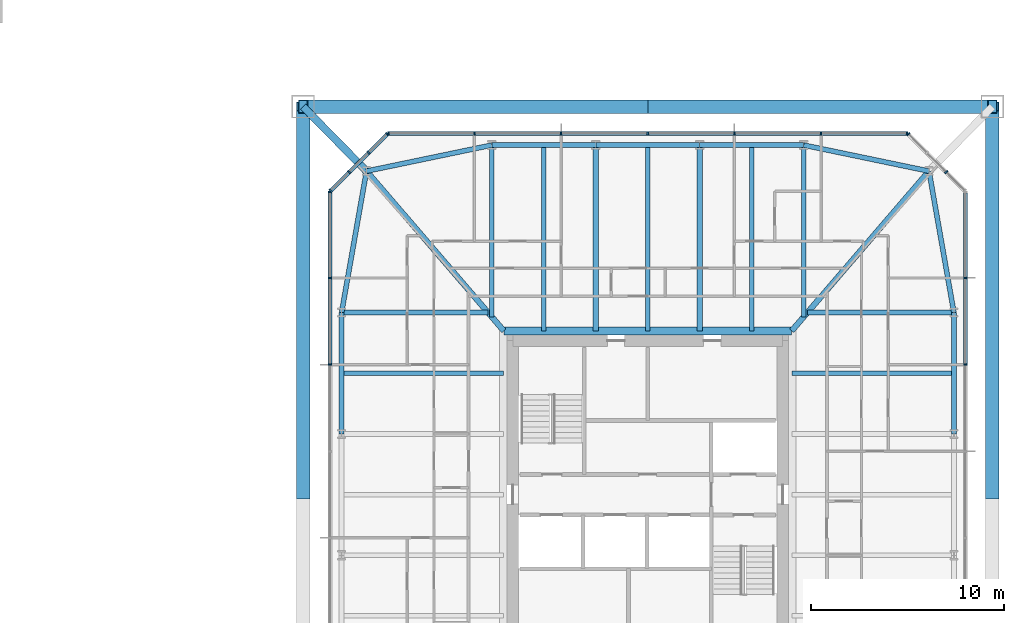
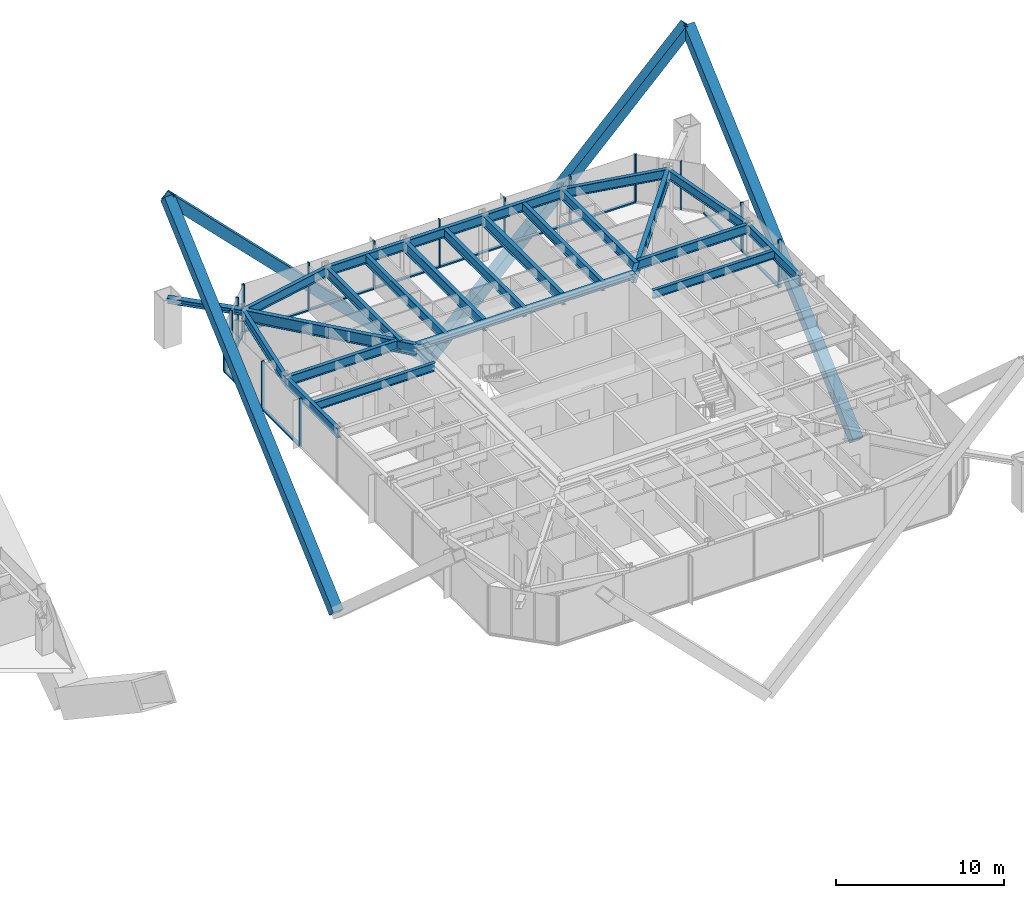
# One storey, part 11 of 27: 36 members, 23 beams, 5 elements without a shape of their own.
"""IFC4 building model written with IfcOpenShell, lengths in metres."""

from ifc_helpers import new_model, si_unit, direction, frame, origin, origin_2d, place, context, subcontext, project, spatial, rectangle, hollow_rectangle, i_section, extrude, material, material_profile, profile_set, type_object, element, aggregate, save


model = new_model("IFC4")

# Units and contexts
model_context = context("Model", 3, precision=1e-05, world=origin(), true_north=direction((0.0, 1.0)))
body_context = subcontext(model_context, "Body", "Model", "MODEL_VIEW")
ifc_project = project(units=[si_unit("LENGTHUNIT", "METRE"), si_unit("AREAUNIT", "SQUARE_METRE"), si_unit("VOLUMEUNIT", "CUBIC_METRE"), si_unit("PLANEANGLEUNIT", "RADIAN"), si_unit("MASSUNIT", "GRAM", prefix="KILO")], contexts=[model_context])

# Site, building, storey
site_placement = place(None, origin())
site = spatial("IfcSite", under=ifc_project, at=site_placement, CompositionType="ELEMENT")
building_placement = place(site_placement, origin())
building = spatial("IfcBuilding", under=site, at=building_placement, Name="Iwan Alto Co-Living Towers", CompositionType="ELEMENT")
storey_placement = place(building_placement, frame((0.0, 0.0, 25.5)))
storey = spatial("IfcBuildingStorey", under=building, at=storey_placement, Name="L06", CompositionType="ELEMENT", Elevation=25.5)

# Curtain wall, members
ifc_material_1 = material(Name="Bronze aluminium unitised frame", Category="aluminium")
curtain_wall_type_1 = type_object("IfcCurtainWallType", Name="CURTAIN WALL CW-C", PredefinedType="NOTDEFINED", material=ifc_material_1)
curtain_wall_1_placement = place(storey_placement, origin())
curtain_wall_1 = element("IfcCurtainWall", 1, at=curtain_wall_1_placement, inside=storey, type_object=curtain_wall_type_1, Name="T2 curtain wall E L06", PredefinedType="NOTDEFINED")
ifc_material_2 = material(Name="Aluminium 6063-T6 bronze anodised", Category="aluminium")
ifc_material_profile_1 = material_profile(ifc_material_2, rectangle(XDim=0.199951171875, YDim=0.080078125, at=origin_2d()), Name="AL 80X200")
ifc_profile_set_1 = profile_set([ifc_material_profile_1], Name="Aluminium 6063-T6 bronze anodised")
member_type_1 = type_object("IfcMemberType", Name="CW-C MULLION 80X200", PredefinedType="MULLION", material=ifc_profile_set_1)
member_1_placement = place(storey_placement, frame((79.5, 6.75, 0.0), z_axis=(0.0, 0.0, 1.0), x_axis=(-1.0, 0.0, 0.0)))
member_1 = element("IfcMember", 2, at=member_1_placement, type_object=member_type_1, Name="CW-C mullion 6", PredefinedType="MULLION", context=body_context, shape_type="SweptSolid", body=[
    extrude(rectangle(XDim=0.199951171875, YDim=0.080078125, at=origin_2d()), origin(), (0.0, 0.0, 1.0), 3.5),
])
member_2_placement = place(storey_placement, frame((79.5, 11.25, 0.0), z_axis=(0.0, 0.0, 1.0), x_axis=(-1.0, 0.0, 0.0)))
member_2 = element("IfcMember", 3, at=member_2_placement, type_object=member_type_1, Name="CW-C mullion 7", PredefinedType="MULLION", context=body_context, shape_type="SweptSolid", body=[
    extrude(rectangle(XDim=0.199951171875, YDim=0.080078125, at=origin_2d()), origin(), (0.0, 0.0, 1.0), 3.5),
])

curtain_wall_2_placement = place(storey_placement, origin())
curtain_wall_2 = element("IfcCurtainWall", 4, at=curtain_wall_2_placement, inside=storey, type_object=curtain_wall_type_1, Name="T2 curtain wall N L06", PredefinedType="NOTDEFINED")
member_3_placement = place(storey_placement, frame((76.4599609375, 18.75, 0.0), z_axis=(0.0, 0.0, 1.0), x_axis=(0.0, -1.0, 0.0)))
member_3 = element("IfcMember", 5, at=member_3_placement, type_object=member_type_1, Name="CW-C mullion 1", PredefinedType="MULLION", context=body_context, shape_type="SweptSolid", body=[
    extrude(rectangle(XDim=0.199951171875, YDim=0.080078125, at=origin_2d()), origin(), (0.0, 0.0, 1.0), 3.5),
])
member_4_placement = place(storey_placement, frame((72.0, 18.75, 0.0), z_axis=(0.0, 0.0, 1.0), x_axis=(0.0, -1.0, 0.0)))
member_4 = element("IfcMember", 6, at=member_4_placement, type_object=member_type_1, Name="CW-C mullion 2", PredefinedType="MULLION", context=body_context, shape_type="SweptSolid", body=[
    extrude(rectangle(XDim=0.199951171875, YDim=0.080078125, at=origin_2d()), origin(), (0.0, 0.0, 1.0), 3.5),
])
member_5_placement = place(storey_placement, frame((67.5, 18.75, 0.0), z_axis=(0.0, 0.0, 1.0), x_axis=(0.0, -1.0, 0.0)))
member_5 = element("IfcMember", 7, at=member_5_placement, type_object=member_type_1, Name="CW-C mullion 3", PredefinedType="MULLION", context=body_context, shape_type="SweptSolid", body=[
    extrude(rectangle(XDim=0.199951171875, YDim=0.080078125, at=origin_2d()), origin(), (0.0, 0.0, 1.0), 3.5),
])
member_6_placement = place(storey_placement, frame((63.0, 18.75, 0.0), z_axis=(0.0, 0.0, 1.0), x_axis=(0.0, -1.0, 0.0)))
member_6 = element("IfcMember", 8, at=member_6_placement, type_object=member_type_1, Name="CW-C mullion 4", PredefinedType="MULLION", context=body_context, shape_type="SweptSolid", body=[
    extrude(rectangle(XDim=0.199951171875, YDim=0.080078125, at=origin_2d()), origin(), (0.0, 0.0, 1.0), 3.5),
])
member_7_placement = place(storey_placement, frame((58.5, 18.75, 0.0), z_axis=(0.0, 0.0, 1.0), x_axis=(0.0, -1.0, 0.0)))
member_7 = element("IfcMember", 9, at=member_7_placement, type_object=member_type_1, Name="CW-C mullion 5", PredefinedType="MULLION", context=body_context, shape_type="SweptSolid", body=[
    extrude(rectangle(XDim=0.199951171875, YDim=0.080078125, at=origin_2d()), origin(), (0.0, 0.0, 1.0), 3.5),
])
member_8_placement = place(storey_placement, frame((54.0, 18.75, 0.0), z_axis=(0.0, 0.0, 1.0), x_axis=(0.0, -1.0, 0.0)))
member_8 = element("IfcMember", 10, at=member_8_placement, type_object=member_type_1, Name="CW-C mullion 6", PredefinedType="MULLION", context=body_context, shape_type="SweptSolid", body=[
    extrude(rectangle(XDim=0.199951171875, YDim=0.080078125, at=origin_2d()), origin(), (0.0, 0.0, 1.0), 3.5),
])
member_9_placement = place(storey_placement, frame((49.5400390625, 18.75, 0.0), z_axis=(0.0, 0.0, 1.0), x_axis=(0.0, -1.0, 0.0)))
member_9 = element("IfcMember", 11, at=member_9_placement, type_object=member_type_1, Name="CW-C mullion 7", PredefinedType="MULLION", context=body_context, shape_type="SweptSolid", body=[
    extrude(rectangle(XDim=0.199951171875, YDim=0.080078125, at=origin_2d()), origin(), (0.0, 0.0, 1.0), 3.5),
])

curtain_wall_3_placement = place(storey_placement, origin())
curtain_wall_3 = element("IfcCurtainWall", 12, at=curtain_wall_3_placement, inside=storey, type_object=curtain_wall_type_1, Name="T2 curtain wall W L06", PredefinedType="NOTDEFINED")
member_10_placement = place(storey_placement, frame((46.5, 15.7099609375, 0.0), z_axis=(0.0, 0.0, 1.0), x_axis=(1.0, 0.0, 0.0)))
member_10 = element("IfcMember", 13, at=member_10_placement, type_object=member_type_1, Name="CW-C mullion 1", PredefinedType="MULLION", context=body_context, shape_type="SweptSolid", body=[
    extrude(rectangle(XDim=0.199951171875, YDim=0.080078125, at=origin_2d()), origin(), (0.0, 0.0, 1.0), 3.5),
])
member_11_placement = place(storey_placement, frame((46.5, 11.25, 0.0), z_axis=(0.0, 0.0, 1.0), x_axis=(1.0, 0.0, 0.0)))
member_11 = element("IfcMember", 14, at=member_11_placement, type_object=member_type_1, Name="CW-C mullion 2", PredefinedType="MULLION", context=body_context, shape_type="SweptSolid", body=[
    extrude(rectangle(XDim=0.199951171875, YDim=0.080078125, at=origin_2d()), origin(), (0.0, 0.0, 1.0), 3.5),
])
member_12_placement = place(storey_placement, frame((46.5, 6.75, 0.0), z_axis=(0.0, 0.0, 1.0), x_axis=(1.0, 0.0, 0.0)))
member_12 = element("IfcMember", 15, at=member_12_placement, type_object=member_type_1, Name="CW-C mullion 3", PredefinedType="MULLION", context=body_context, shape_type="SweptSolid", body=[
    extrude(rectangle(XDim=0.199951171875, YDim=0.080078125, at=origin_2d()), origin(), (0.0, 0.0, 1.0), 3.5),
])

# Member
ifc_material_3 = material(Name="Aluminium 6063-T6 bronze anodised", Category="aluminium")
ifc_material_profile_2 = material_profile(ifc_material_3, rectangle(XDim=0.199951171875, YDim=0.10009765625, at=origin_2d()), Name="AL 200X100")
ifc_profile_set_2 = profile_set([ifc_material_profile_2], Name="Aluminium 6063-T6 bronze anodised")
member_type_2 = type_object("IfcMemberType", Name="CW-C TRANSOM 200X100", PredefinedType="USERDEFINED", material=ifc_profile_set_2)
member_13_placement = place(storey_placement, frame((79.5, 6.7900390625, 0.050048828125), z_axis=(0.0, 1.0, 0.0), x_axis=(-1.0, 0.0, 0.0)))
member_13 = element("IfcMember", 16, at=member_13_placement, type_object=member_type_2, Name="CW-C transom 6.1", ObjectType="TRANSOM", PredefinedType="USERDEFINED", context=body_context, shape_type="SweptSolid", body=[
    extrude(rectangle(XDim=0.199951171875, YDim=0.10009765625, at=origin_2d()), origin(), (0.0, 0.0, 1.0), 4.419921875),
])

member_14_placement = place(storey_placement, frame((79.5, 11.2900390625, 0.050048828125), z_axis=(0.0, 1.0, 0.0), x_axis=(-1.0, 0.0, 0.0)))
member_14 = element("IfcMember", 17, at=member_14_placement, type_object=member_type_2, Name="CW-C transom 7.1", ObjectType="TRANSOM", PredefinedType="USERDEFINED", context=body_context, shape_type="SweptSolid", body=[
    extrude(rectangle(XDim=0.199951171875, YDim=0.10009765625, at=origin_2d()), origin(), (0.0, 0.0, 1.0), 4.3798828125),
])

aggregate(curtain_wall_1, [member_1, member_2, member_13, member_14])

member_15_placement = place(storey_placement, frame((76.419921875, 18.75, 0.050048828125), z_axis=(-1.0, 0.0, 0.0), x_axis=(0.0, -1.0, 0.0)))
member_15 = element("IfcMember", 18, at=member_15_placement, type_object=member_type_2, Name="CW-C transom 1.1", ObjectType="TRANSOM", PredefinedType="USERDEFINED", context=body_context, shape_type="SweptSolid", body=[
    extrude(rectangle(XDim=0.199951171875, YDim=0.10009765625, at=origin_2d()), origin(), (0.0, 0.0, 1.0), 4.3798828125),
])

member_16_placement = place(storey_placement, frame((71.9599609375, 18.75, 0.050048828125), z_axis=(-1.0, 0.0, 0.0), x_axis=(0.0, -1.0, 0.0)))
member_16 = element("IfcMember", 19, at=member_16_placement, type_object=member_type_2, Name="CW-C transom 2.1", ObjectType="TRANSOM", PredefinedType="USERDEFINED", context=body_context, shape_type="SweptSolid", body=[
    extrude(rectangle(XDim=0.199951171875, YDim=0.10009765625, at=origin_2d()), origin(), (0.0, 0.0, 1.0), 4.419921875),
])

member_17_placement = place(storey_placement, frame((67.4599609375, 18.75, 0.050048828125), z_axis=(-1.0, 0.0, 0.0), x_axis=(0.0, -1.0, 0.0)))
member_17 = element("IfcMember", 20, at=member_17_placement, type_object=member_type_2, Name="CW-C transom 3.1", ObjectType="TRANSOM", PredefinedType="USERDEFINED", context=body_context, shape_type="SweptSolid", body=[
    extrude(rectangle(XDim=0.199951171875, YDim=0.10009765625, at=origin_2d()), origin(), (0.0, 0.0, 1.0), 4.419921875),
])

member_18_placement = place(storey_placement, frame((62.9599609375, 18.75, 0.050048828125), z_axis=(-1.0, 0.0, 0.0), x_axis=(0.0, -1.0, 0.0)))
member_18 = element("IfcMember", 21, at=member_18_placement, type_object=member_type_2, Name="CW-C transom 4.1", ObjectType="TRANSOM", PredefinedType="USERDEFINED", context=body_context, shape_type="SweptSolid", body=[
    extrude(rectangle(XDim=0.199951171875, YDim=0.10009765625, at=origin_2d()), origin(), (0.0, 0.0, 1.0), 4.419921875),
])

member_19_placement = place(storey_placement, frame((58.4599609375, 18.75, 0.050048828125), z_axis=(-1.0, 0.0, 0.0), x_axis=(0.0, -1.0, 0.0)))
member_19 = element("IfcMember", 22, at=member_19_placement, type_object=member_type_2, Name="CW-C transom 5.1", ObjectType="TRANSOM", PredefinedType="USERDEFINED", context=body_context, shape_type="SweptSolid", body=[
    extrude(rectangle(XDim=0.199951171875, YDim=0.10009765625, at=origin_2d()), origin(), (0.0, 0.0, 1.0), 4.419921875),
])

member_20_placement = place(storey_placement, frame((53.9599609375, 18.75, 0.050048828125), z_axis=(-1.0, 0.0, 0.0), x_axis=(0.0, -1.0, 0.0)))
member_20 = element("IfcMember", 23, at=member_20_placement, type_object=member_type_2, Name="CW-C transom 6.1", ObjectType="TRANSOM", PredefinedType="USERDEFINED", context=body_context, shape_type="SweptSolid", body=[
    extrude(rectangle(XDim=0.199951171875, YDim=0.10009765625, at=origin_2d()), origin(), (0.0, 0.0, 1.0), 4.3798828125),
])

aggregate(curtain_wall_2, [member_3, member_4, member_5, member_6, member_7, member_8, member_9, member_15, member_16, member_17, member_18, member_19, member_20])

member_21_placement = place(storey_placement, frame((46.5, 15.669921875, 0.050048828125), z_axis=(0.0, -1.0, 0.0), x_axis=(1.0, 0.0, 0.0)))
member_21 = element("IfcMember", 24, at=member_21_placement, type_object=member_type_2, Name="CW-C transom 1.1", ObjectType="TRANSOM", PredefinedType="USERDEFINED", context=body_context, shape_type="SweptSolid", body=[
    extrude(rectangle(XDim=0.199951171875, YDim=0.10009765625, at=origin_2d()), origin(), (0.0, 0.0, 1.0), 4.3798828125),
])

member_22_placement = place(storey_placement, frame((46.5, 11.2099609375, 0.050048828125), z_axis=(0.0, -1.0, 0.0), x_axis=(1.0, 0.0, 0.0)))
member_22 = element("IfcMember", 25, at=member_22_placement, type_object=member_type_2, Name="CW-C transom 2.1", ObjectType="TRANSOM", PredefinedType="USERDEFINED", context=body_context, shape_type="SweptSolid", body=[
    extrude(rectangle(XDim=0.199951171875, YDim=0.10009765625, at=origin_2d()), origin(), (0.0, 0.0, 1.0), 4.419921875),
])

aggregate(curtain_wall_3, [member_10, member_11, member_12, member_21, member_22])

# Curtain wall, members
ifc_material_4 = material(Name="Bronze aluminium unitised frame", Category="aluminium")
curtain_wall_type_2 = type_object("IfcCurtainWallType", Name="CURTAIN WALL CW-D", PredefinedType="NOTDEFINED", material=ifc_material_4)
curtain_wall_4_placement = place(storey_placement, origin())
curtain_wall_4 = element("IfcCurtainWall", 26, at=curtain_wall_4_placement, inside=storey, type_object=curtain_wall_type_2, Name="T2 chamfer curtain wall NE L06", PredefinedType="NOTDEFINED")
ifc_material_5 = material(Name="Aluminium 6063-T6 bronze anodised", Category="aluminium")
ifc_material_profile_3 = material_profile(ifc_material_5, rectangle(XDim=0.199951171875, YDim=0.080078125, at=origin_2d()), Name="AL 80X200")
ifc_profile_set_3 = profile_set([ifc_material_profile_3], Name="Aluminium 6063-T6 bronze anodised")
member_type_3 = type_object("IfcMemberType", Name="CW-D MULLION 80X200", PredefinedType="MULLION", material=ifc_profile_set_3)
member_23_placement = place(storey_placement, frame((78.5, 16.75, 0.0), z_axis=(0.0, 0.0, 1.0), x_axis=(-0.707106781187, -0.707106781187, 0.0)))
member_23 = element("IfcMember", 27, at=member_23_placement, type_object=member_type_3, Name="CW-D mullion 2", PredefinedType="MULLION", context=body_context, shape_type="SweptSolid", body=[
    extrude(rectangle(XDim=0.199951171875, YDim=0.080078125, at=origin_2d()), origin(), (0.0, 0.0, 1.0), 3.5),
])
member_24_placement = place(storey_placement, frame((76.5283203125, 18.7216796875, 0.0), z_axis=(0.0, 0.0, 1.0), x_axis=(-0.707106781187, -0.707106781187, 0.0)))
member_24 = element("IfcMember", 28, at=member_24_placement, type_object=member_type_3, Name="CW-D mullion 4", PredefinedType="MULLION", context=body_context, shape_type="SweptSolid", body=[
    extrude(rectangle(XDim=0.199951171875, YDim=0.080078125, at=origin_2d()), origin(), (0.0, 0.0, 1.0), 3.5),
])
aggregate(curtain_wall_4, [member_23, member_24])

curtain_wall_5_placement = place(storey_placement, origin())
curtain_wall_5 = element("IfcCurtainWall", 29, at=curtain_wall_5_placement, inside=storey, type_object=curtain_wall_type_2, Name="T2 chamfer curtain wall NW L06", PredefinedType="NOTDEFINED")
member_25_placement = place(storey_placement, frame((49.4716796875, 18.7216796875, 0.0), z_axis=(0.0, 0.0, 1.0), x_axis=(0.707106781187, -0.707106781187, 0.0)))
member_25 = element("IfcMember", 30, at=member_25_placement, type_object=member_type_3, Name="CW-D mullion 1", PredefinedType="MULLION", context=body_context, shape_type="SweptSolid", body=[
    extrude(rectangle(XDim=0.199951171875, YDim=0.080078125, at=origin_2d()), origin(), (0.0, 0.0, 1.0), 3.5),
])
member_26_placement = place(storey_placement, frame((48.5, 17.75, 0.0), z_axis=(0.0, 0.0, 1.0), x_axis=(0.707106781187, -0.707106781187, 0.0)))
member_26 = element("IfcMember", 31, at=member_26_placement, type_object=member_type_3, Name="CW-D mullion 2", PredefinedType="MULLION", context=body_context, shape_type="SweptSolid", body=[
    extrude(rectangle(XDim=0.199951171875, YDim=0.080078125, at=origin_2d()), origin(), (0.0, 0.0, 1.0), 3.5),
])
member_27_placement = place(storey_placement, frame((47.5, 16.75, 0.0), z_axis=(0.0, 0.0, 1.0), x_axis=(0.707106781187, -0.707106781187, 0.0)))
member_27 = element("IfcMember", 32, at=member_27_placement, type_object=member_type_3, Name="CW-D mullion 3", PredefinedType="MULLION", context=body_context, shape_type="SweptSolid", body=[
    extrude(rectangle(XDim=0.199951171875, YDim=0.080078125, at=origin_2d()), origin(), (0.0, 0.0, 1.0), 3.5),
])
member_28_placement = place(storey_placement, frame((46.5283203125, 15.7783203125, 0.0), z_axis=(0.0, 0.0, 1.0), x_axis=(0.707106781187, -0.707106781187, 0.0)))
member_28 = element("IfcMember", 33, at=member_28_placement, type_object=member_type_3, Name="CW-D mullion 4", PredefinedType="MULLION", context=body_context, shape_type="SweptSolid", body=[
    extrude(rectangle(XDim=0.199951171875, YDim=0.080078125, at=origin_2d()), origin(), (0.0, 0.0, 1.0), 3.5),
])
ifc_material_6 = material(Name="Aluminium 6063-T6 bronze anodised", Category="aluminium")
ifc_material_profile_4 = material_profile(ifc_material_6, rectangle(XDim=0.199951171875, YDim=0.10009765625, at=origin_2d()), Name="AL 200X100")
ifc_profile_set_4 = profile_set([ifc_material_profile_4], Name="Aluminium 6063-T6 bronze anodised")
member_type_4 = type_object("IfcMemberType", Name="CW-D TRANSOM 200X100", PredefinedType="USERDEFINED", material=ifc_profile_set_4)
member_29_placement = place(storey_placement, frame((49.443359375, 18.693359375, 0.050048828125), z_axis=(-0.707106781187, -0.707106781187, 0.0), x_axis=(0.707106781187, -0.707106781187, 0.0)))
member_29 = element("IfcMember", 34, at=member_29_placement, type_object=member_type_4, Name="CW-D transom 1.1", ObjectType="TRANSOM", PredefinedType="USERDEFINED", context=body_context, shape_type="SweptSolid", body=[
    extrude(rectangle(XDim=0.199951171875, YDim=0.10009765625, at=origin_2d()), origin(), (0.0, 0.0, 1.0), 1.2939453125),
])
member_30_placement = place(storey_placement, frame((48.4716796875, 17.7216796875, 0.050048828125), z_axis=(-0.707106781187, -0.707106781187, 0.0), x_axis=(0.707106781187, -0.707106781187, 0.0)))
member_30 = element("IfcMember", 35, at=member_30_placement, type_object=member_type_4, Name="CW-D transom 2.1", ObjectType="TRANSOM", PredefinedType="USERDEFINED", context=body_context, shape_type="SweptSolid", body=[
    extrude(rectangle(XDim=0.199951171875, YDim=0.10009765625, at=origin_2d()), origin(), (0.0, 0.0, 1.0), 1.334228515625),
])
member_31_placement = place(storey_placement, frame((47.4716796875, 16.7216796875, 0.050048828125), z_axis=(-0.707106781187, -0.707106781187, 0.0), x_axis=(0.707106781187, -0.707106781187, 0.0)))
member_31 = element("IfcMember", 36, at=member_31_placement, type_object=member_type_4, Name="CW-D transom 3.1", ObjectType="TRANSOM", PredefinedType="USERDEFINED", context=body_context, shape_type="SweptSolid", body=[
    extrude(rectangle(XDim=0.199951171875, YDim=0.10009765625, at=origin_2d()), origin(), (0.0, 0.0, 1.0), 1.2939453125),
])
aggregate(curtain_wall_5, [member_25, member_26, member_27, member_28, member_29, member_30, member_31])

# Beams
ifc_material_7 = material(Name="Steel ASTM A992 Gr 50", Category="steel")
ifc_material_profile_5 = material_profile(ifc_material_7, i_section(OverallWidth=0.40380859375, OverallDepth=0.406494140625, WebThickness=0.027099609375, FlangeThickness=0.043701171875, at=origin_2d()), Name="W14X233")
ifc_profile_set_5 = profile_set([ifc_material_profile_5], Name="Steel ASTM A992 Gr 50")
beam_type_1 = type_object("IfcBeamType", Name="T2 CORE LEDGER BEAM W14X233", PredefinedType="BEAM", material=ifc_profile_set_5)
beam_1_placement = place(storey_placement, frame((70.4736328125, 8.501953125, 3.06689453125), z_axis=(-1.0, 0.0, 0.0), x_axis=(0.0, -1.0, 0.0)))
element("IfcBeam", 37, at=beam_1_placement, inside=storey, type_object=beam_type_1, Name="T2 core ledger beam N L07", PredefinedType="BEAM", context=body_context, shape_type="SweptSolid", body=[
    extrude(i_section(OverallWidth=0.40380859375, OverallDepth=0.406494140625, WebThickness=0.027099609375, FlangeThickness=0.043701171875, at=origin_2d()), origin(), (0.0, 0.0, 1.0), 14.947265625),
])
ifc_material_8 = material(Name="Steel ASTM A992 Gr 50", Category="steel")
ifc_material_profile_6 = material_profile(ifc_material_8, i_section(OverallWidth=0.2919921875, OverallDepth=0.8408203125, WebThickness=0.0146484375, FlangeThickness=0.021728515625, at=origin_2d()), Name="W33X130")
ifc_profile_set_6 = profile_set([ifc_material_profile_6], Name="Steel ASTM A992 Gr 50")
beam_type_2 = type_object("IfcBeamType", Name="T2 CORNER GIRDER W33X130", PredefinedType="BEAM", material=ifc_profile_set_6)
for number, where, z_axis, x_axis, name in (
    (38, (77.606201171875, 16.797119140625, 2.849609375), (-0.651972301827, -0.758242782788, 0.0), (0.758242782788, -0.651972301827, 0.0), "T2 corner girder CNE L07"),
    (39, (48.393798828125, 16.797119140625, 2.849609375), (0.651972301827, -0.758242782788, 0.0), (0.758242782788, 0.651972301827, 0.0), "T2 corner girder CNW L07"),
):
    element("IfcBeam", number, at=place(storey_placement, frame(where, z_axis=z_axis, x_axis=x_axis)), inside=storey, type_object=beam_type_2, Name=name, PredefinedType="BEAM", context=body_context, shape_type="SweptSolid", body=[
        extrude(i_section(OverallWidth=0.2919921875, OverallDepth=0.8408203125, WebThickness=0.0146484375, FlangeThickness=0.021728515625, at=origin_2d()), origin(), (0.0, 0.0, 1.0), 10.93994140625),
    ])
ifc_material_9 = material(Name="Steel ASTM A992 Gr 50", Category="steel")
ifc_material_profile_7 = material_profile(ifc_material_9, i_section(OverallWidth=0.25390625, OverallDepth=0.683349609375, WebThickness=0.012451171875, FlangeThickness=0.018798828125, at=origin_2d()), Name="W27X94")
ifc_profile_set_7 = profile_set([ifc_material_profile_7], Name="Steel ASTM A992 Gr 50")
beam_type_3 = type_object("IfcBeamType", Name="T2 EDGE BEAM W27X94", PredefinedType="BEAM", material=ifc_profile_set_7)
beam_2_placement = place(storey_placement, frame((78.89990234375, 3.14990234375, 2.928466796875), z_axis=(0.0, 1.0, 0.0), x_axis=(-1.0, 0.0, 0.0)))
element("IfcBeam", 40, at=beam_2_placement, inside=storey, type_object=beam_type_3, Name="T2 edge beam E3 L07", PredefinedType="BEAM", context=body_context, shape_type="SweptSolid", body=[
    extrude(i_section(OverallWidth=0.25390625, OverallDepth=0.683349609375, WebThickness=0.012451171875, FlangeThickness=0.018798828125, at=origin_2d()), origin(), (0.0, 0.0, 1.0), 6.300048828125),
])
beam_3_placement = place(storey_placement, frame((78.89990234375, 9.449951171875, 2.928466796875), z_axis=(-0.173413807283, 0.98484905008, 0.0), x_axis=(-0.98484905008, -0.173413807283, 0.0)))
element("IfcBeam", 41, at=beam_3_placement, inside=storey, type_object=beam_type_3, Name="T2 edge beam E4 L07", PredefinedType="BEAM", context=body_context, shape_type="SweptSolid", body=[
    extrude(i_section(OverallWidth=0.25390625, OverallDepth=0.683349609375, WebThickness=0.012451171875, FlangeThickness=0.018798828125, at=origin_2d()), origin(), (0.0, 0.0, 1.0), 7.460205078125),
])
beam_4_placement = place(storey_placement, frame((77.606201171875, 16.797119140625, 2.928466796875), z_axis=(-0.979060119423, 0.203571320564, 0.0), x_axis=(-0.203571320564, -0.979060119423, 0.0)))
element("IfcBeam", 42, at=beam_4_placement, inside=storey, type_object=beam_type_3, Name="T2 edge beam CNE L07", PredefinedType="BEAM", context=body_context, shape_type="SweptSolid", body=[
    extrude(i_section(OverallWidth=0.25390625, OverallDepth=0.683349609375, WebThickness=0.012451171875, FlangeThickness=0.018798828125, at=origin_2d()), origin(), (0.0, 0.0, 1.0), 6.645263671875),
])
beam_5_placement = place(storey_placement, frame((71.10009765625, 18.14990234375, 2.928466796875), z_axis=(-1.0, 0.0, 0.0), x_axis=(0.0, -1.0, 0.0)))
element("IfcBeam", 43, at=beam_5_placement, inside=storey, type_object=beam_type_3, Name="T2 edge beam N1 L07", PredefinedType="BEAM", context=body_context, shape_type="SweptSolid", body=[
    extrude(i_section(OverallWidth=0.25390625, OverallDepth=0.683349609375, WebThickness=0.012451171875, FlangeThickness=0.018798828125, at=origin_2d()), origin(), (0.0, 0.0, 1.0), 5.400146484375),
])
beam_6_placement = place(storey_placement, frame((65.699951171875, 18.14990234375, 2.928466796875), z_axis=(-1.0, 0.0, 0.0), x_axis=(0.0, -1.0, 0.0)))
element("IfcBeam", 44, at=beam_6_placement, inside=storey, type_object=beam_type_3, Name="T2 edge beam N2 L07", PredefinedType="BEAM", context=body_context, shape_type="SweptSolid", body=[
    extrude(i_section(OverallWidth=0.25390625, OverallDepth=0.683349609375, WebThickness=0.012451171875, FlangeThickness=0.018798828125, at=origin_2d()), origin(), (0.0, 0.0, 1.0), 5.39990234375),
])
beam_7_placement = place(storey_placement, frame((60.300048828125, 18.14990234375, 2.928466796875), z_axis=(-1.0, 0.0, 0.0), x_axis=(0.0, -1.0, 0.0)))
element("IfcBeam", 45, at=beam_7_placement, inside=storey, type_object=beam_type_3, Name="T2 edge beam N3 L07", PredefinedType="BEAM", context=body_context, shape_type="SweptSolid", body=[
    extrude(i_section(OverallWidth=0.25390625, OverallDepth=0.683349609375, WebThickness=0.012451171875, FlangeThickness=0.018798828125, at=origin_2d()), origin(), (0.0, 0.0, 1.0), 5.400146484375),
])
beam_8_placement = place(storey_placement, frame((54.89990234375, 18.14990234375, 2.928466796875), z_axis=(-0.979060119423, -0.203571320564, 0.0), x_axis=(0.203571320564, -0.979060119423, 0.0)))
element("IfcBeam", 46, at=beam_8_placement, inside=storey, type_object=beam_type_3, Name="T2 edge beam N4 L07", PredefinedType="BEAM", context=body_context, shape_type="SweptSolid", body=[
    extrude(i_section(OverallWidth=0.25390625, OverallDepth=0.683349609375, WebThickness=0.012451171875, FlangeThickness=0.018798828125, at=origin_2d()), origin(), (0.0, 0.0, 1.0), 6.645263671875),
])
beam_9_placement = place(storey_placement, frame((48.393798828125, 16.797119140625, 2.928466796875), z_axis=(-0.173413807283, -0.98484905008, 0.0), x_axis=(0.98484905008, -0.173413807283, 0.0)))
element("IfcBeam", 47, at=beam_9_placement, inside=storey, type_object=beam_type_3, Name="T2 edge beam CNW L07", PredefinedType="BEAM", context=body_context, shape_type="SweptSolid", body=[
    extrude(i_section(OverallWidth=0.25390625, OverallDepth=0.683349609375, WebThickness=0.012451171875, FlangeThickness=0.018798828125, at=origin_2d()), origin(), (0.0, 0.0, 1.0), 7.460205078125),
])
beam_10_placement = place(storey_placement, frame((47.10009765625, 9.449951171875, 2.928466796875), z_axis=(0.0, -1.0, 0.0), x_axis=(1.0, 0.0, 0.0)))
element("IfcBeam", 48, at=beam_10_placement, inside=storey, type_object=beam_type_3, Name="T2 edge beam W1 L07", PredefinedType="BEAM", context=body_context, shape_type="SweptSolid", body=[
    extrude(i_section(OverallWidth=0.25390625, OverallDepth=0.683349609375, WebThickness=0.012451171875, FlangeThickness=0.018798828125, at=origin_2d()), origin(), (0.0, 0.0, 1.0), 6.300048828125),
])

# Members
ifc_material_10 = material(Name="Steel ASTM A572 Gr 50", Category="steel")
ifc_material_profile_8 = material_profile(ifc_material_10, hollow_rectangle(XDim=0.699951171875, YDim=0.699951171875, WallThickness=0.044921875, at=origin_2d()), Name="BOX 700X700X45")
ifc_profile_set_8 = profile_set([ifc_material_profile_8], Name="Steel ASTM A572 Gr 50")
member_type_5 = type_object("IfcMemberType", Name="T2 MEGA BRACE BOX 700X700X45", PredefinedType="BRACE", material=ifc_profile_set_8)
member_32_placement = place(storey_placement, frame((80.89990234375, 0.0, -7.5), z_axis=(0.0, 0.745771862138, 0.666201418224), x_axis=(-1.0, 0.0, 0.0)))
element("IfcMember", 49, at=member_32_placement, inside=storey, type_object=member_type_5, Name="T2 mega brace Z1A E 1 upper", PredefinedType="BRACE", context=body_context, shape_type="SweptSolid", body=[
    extrude(hollow_rectangle(XDim=0.699951171875, YDim=0.699951171875, WallThickness=0.044921875, at=origin_2d()), origin(), (0.0, 0.0, 1.0), 27.018798828125),
])
for number, where, z_axis, x_axis, name in (
    (50, (63.0, 20.14990234375, -7.5), (-0.705132454608, 0.0, 0.709075610537), (0.0, -1.0, 0.0), "T2 mega brace Z1A N 1 upper"),
    (51, (63.0, 20.14990234375, -7.5), (0.705132454608, 0.0, 0.709075610537), (0.0, 1.0, 0.0), "T2 mega brace Z1A N 2 upper"),
):
    element("IfcMember", number, at=place(storey_placement, frame(where, z_axis=z_axis, x_axis=x_axis)), inside=storey, type_object=member_type_5, Name=name, PredefinedType="BRACE", context=body_context, shape_type="SweptSolid", body=[
        extrude(hollow_rectangle(XDim=0.699951171875, YDim=0.699951171875, WallThickness=0.044921875, at=origin_2d()), origin(), (0.0, 0.0, 1.0), 25.38525390625),
    ])
member_33_placement = place(storey_placement, frame((45.10009765625, 0.0, -7.5), z_axis=(0.0, 0.745771862138, 0.666201418224), x_axis=(-1.0, 0.0, 0.0)))
element("IfcMember", 52, at=member_33_placement, inside=storey, type_object=member_type_5, Name="T2 mega brace Z1A W 2 upper", PredefinedType="BRACE", context=body_context, shape_type="SweptSolid", body=[
    extrude(hollow_rectangle(XDim=0.699951171875, YDim=0.699951171875, WallThickness=0.044921875, at=origin_2d()), origin(), (0.0, 0.0, 1.0), 27.018798828125),
])
ifc_material_11 = material(Name="Steel ASTM A992 Gr 50", Category="steel")
ifc_material_profile_9 = material_profile(ifc_material_11, i_section(OverallWidth=0.393798828125, OverallDepth=0.3759765625, WebThickness=0.017333984375, FlangeThickness=0.027587890625, at=origin_2d()), Name="W14X145")
ifc_profile_set_9 = profile_set([ifc_material_profile_9], Name="Steel ASTM A992 Gr 50")
member_type_6 = type_object("IfcMemberType", Name="T2 MEGA COLUMN FLOOR TIE W14X145", PredefinedType="STRUT", material=ifc_profile_set_9)
member_34_placement = place(storey_placement, frame((45.10009765625, 20.14990234375, 3.08203125), z_axis=(0.700793469544, -0.71336422187, 0.0), x_axis=(0.71336422187, 0.700793469544, 0.0)))
element("IfcMember", 53, at=member_34_placement, inside=storey, type_object=member_type_6, Name="T2 mega column floor tie NW L07", PredefinedType="STRUT", context=body_context, shape_type="SweptSolid", body=[
    extrude(i_section(OverallWidth=0.393798828125, OverallDepth=0.3759765625, WebThickness=0.017333984375, FlangeThickness=0.027587890625, at=origin_2d()), origin(), (0.0, 0.0, 1.0), 4.699951171875),
])

# Beams
ifc_material_12 = material(Name="Steel ASTM A992 Gr 50", Category="steel")
ifc_material_profile_10 = material_profile(ifc_material_12, i_section(OverallWidth=0.25390625, OverallDepth=0.683349609375, WebThickness=0.012451171875, FlangeThickness=0.018798828125, at=origin_2d()), Name="W27X94")
ifc_profile_set_10 = profile_set([ifc_material_profile_10], Name="Steel ASTM A992 Gr 50")
beam_type_4 = type_object("IfcBeamType", Name="T2 RADIAL BEAM W27X94", PredefinedType="BEAM", material=ifc_profile_set_10)
beam_11_placement = place(storey_placement, frame((78.89990234375, 9.449951171875, 2.928466796875), z_axis=(-1.0, 0.0, 0.0), x_axis=(0.0, -1.0, 0.0)))
element("IfcBeam", 54, at=beam_11_placement, inside=storey, type_object=beam_type_4, Name="T2 radial beam E4 L07", PredefinedType="BEAM", context=body_context, shape_type="SweptSolid", body=[
    extrude(i_section(OverallWidth=0.25390625, OverallDepth=0.683349609375, WebThickness=0.012451171875, FlangeThickness=0.018798828125, at=origin_2d()), origin(), (0.0, 0.0, 1.0), 7.611083984375),
])
for number, where, z_axis, x_axis, name in (
    (55, (71.10009765625, 18.14990234375, 2.928466796875), (0.0, -1.0, 0.0), (1.0, 0.0, 0.0), "T2 radial beam N1 L07"),
    (56, (54.89990234375, 18.14990234375, 2.928466796875), (0.0, -1.0, 0.0), (1.0, 0.0, 0.0), "T2 radial beam N4 L07"),
):
    element("IfcBeam", number, at=place(storey_placement, frame(where, z_axis=z_axis, x_axis=x_axis)), inside=storey, type_object=beam_type_4, Name=name, PredefinedType="BEAM", context=body_context, shape_type="SweptSolid", body=[
        extrude(i_section(OverallWidth=0.25390625, OverallDepth=0.683349609375, WebThickness=0.012451171875, FlangeThickness=0.018798828125, at=origin_2d()), origin(), (0.0, 0.0, 1.0), 8.91943359375),
    ])
beam_12_placement = place(storey_placement, frame((47.10009765625, 9.449951171875, 2.928466796875), z_axis=(1.0, 0.0, 0.0), x_axis=(0.0, 1.0, 0.0)))
element("IfcBeam", 57, at=beam_12_placement, inside=storey, type_object=beam_type_4, Name="T2 radial beam W1 L07", PredefinedType="BEAM", context=body_context, shape_type="SweptSolid", body=[
    extrude(i_section(OverallWidth=0.25390625, OverallDepth=0.683349609375, WebThickness=0.012451171875, FlangeThickness=0.018798828125, at=origin_2d()), origin(), (0.0, 0.0, 1.0), 7.611083984375),
])
ifc_material_13 = material(Name="Steel ASTM A992 Gr 50", Category="steel")
ifc_material_profile_11 = material_profile(ifc_material_13, i_section(OverallWidth=0.2666015625, OverallDepth=0.761962890625, WebThickness=0.014404296875, FlangeThickness=0.021484375, at=origin_2d()), Name="W30X116")
ifc_profile_set_11 = profile_set([ifc_material_profile_11], Name="Steel ASTM A992 Gr 50")
beam_type_5 = type_object("IfcBeamType", Name="T2 RADIAL BEAM W30X116", PredefinedType="BEAM", material=ifc_profile_set_11)
for number, where, z_axis, x_axis, name in (
    (58, (65.699951171875, 18.14990234375, 2.888916015625), (0.0, -1.0, 0.0), (1.0, 0.0, 0.0), "T2 radial beam N2 L07"),
    (59, (60.300048828125, 18.14990234375, 2.888916015625), (0.0, -1.0, 0.0), (1.0, 0.0, 0.0), "T2 radial beam N3 L07"),
):
    element("IfcBeam", number, at=place(storey_placement, frame(where, z_axis=z_axis, x_axis=x_axis)), inside=storey, type_object=beam_type_5, Name=name, PredefinedType="BEAM", context=body_context, shape_type="SweptSolid", body=[
        extrude(i_section(OverallWidth=0.2666015625, OverallDepth=0.761962890625, WebThickness=0.014404296875, FlangeThickness=0.021484375, at=origin_2d()), origin(), (0.0, 0.0, 1.0), 9.64794921875),
    ])
ifc_material_14 = material(Name="Steel ASTM A992 Gr 50", Category="steel")
ifc_material_profile_12 = material_profile(ifc_material_14, i_section(OverallWidth=0.228271484375, OverallDepth=0.607177734375, WebThickness=0.01123046875, FlangeThickness=0.017333984375, at=origin_2d()), Name="W24X76")
ifc_profile_set_12 = profile_set([ifc_material_profile_12], Name="Steel ASTM A992 Gr 50")
beam_type_6 = type_object("IfcBeamType", Name="T2 SECONDARY BEAM W24X76", PredefinedType="JOIST", material=ifc_profile_set_12)
for number, where, z_axis, x_axis, name in (
    (60, (78.89990234375, 6.300048828125, 2.966552734375), (-1.0, 0.0, 0.0), (0.0, -1.0, 0.0), "T2 secondary beam E3 L07"),
    (61, (47.10009765625, 6.300048828125, 2.966552734375), (1.0, 0.0, 0.0), (0.0, 1.0, 0.0), "T2 secondary beam W1 L07"),
):
    element("IfcBeam", number, at=place(storey_placement, frame(where, z_axis=z_axis, x_axis=x_axis)), inside=storey, type_object=beam_type_6, Name=name, PredefinedType="JOIST", context=body_context, shape_type="SweptSolid", body=[
        extrude(i_section(OverallWidth=0.228271484375, OverallDepth=0.607177734375, WebThickness=0.01123046875, FlangeThickness=0.017333984375, at=origin_2d()), origin(), (0.0, 0.0, 1.0), 8.39794921875),
    ])
ifc_material_15 = material(Name="Steel ASTM A992 Gr 50", Category="steel")
ifc_material_profile_13 = material_profile(ifc_material_15, i_section(OverallWidth=0.25390625, OverallDepth=0.683349609375, WebThickness=0.012451171875, FlangeThickness=0.018798828125, at=origin_2d()), Name="W27X94")
ifc_profile_set_13 = profile_set([ifc_material_profile_13], Name="Steel ASTM A992 Gr 50")
beam_type_7 = type_object("IfcBeamType", Name="T2 SECONDARY BEAM W27X94", PredefinedType="JOIST", material=ifc_profile_set_13)
for number, where, z_axis, x_axis, name in (
    (62, (68.39990234375, 18.14990234375, 2.928466796875), (0.0, -1.0, 0.0), (1.0, 0.0, 0.0), "T2 secondary beam N1 L07"),
    (63, (63.0, 18.14990234375, 2.928466796875), (0.0, -1.0, 0.0), (1.0, 0.0, 0.0), "T2 secondary beam N2 L07"),
    (64, (57.60009765625, 18.14990234375, 2.928466796875), (0.0, -1.0, 0.0), (1.0, 0.0, 0.0), "T2 secondary beam N3 L07"),
):
    element("IfcBeam", number, at=place(storey_placement, frame(where, z_axis=z_axis, x_axis=x_axis)), inside=storey, type_object=beam_type_7, Name=name, PredefinedType="JOIST", context=body_context, shape_type="SweptSolid", body=[
        extrude(i_section(OverallWidth=0.25390625, OverallDepth=0.683349609375, WebThickness=0.012451171875, FlangeThickness=0.018798828125, at=origin_2d()), origin(), (0.0, 0.0, 1.0), 9.64794921875),
    ])

save(model, "model.ifc")
